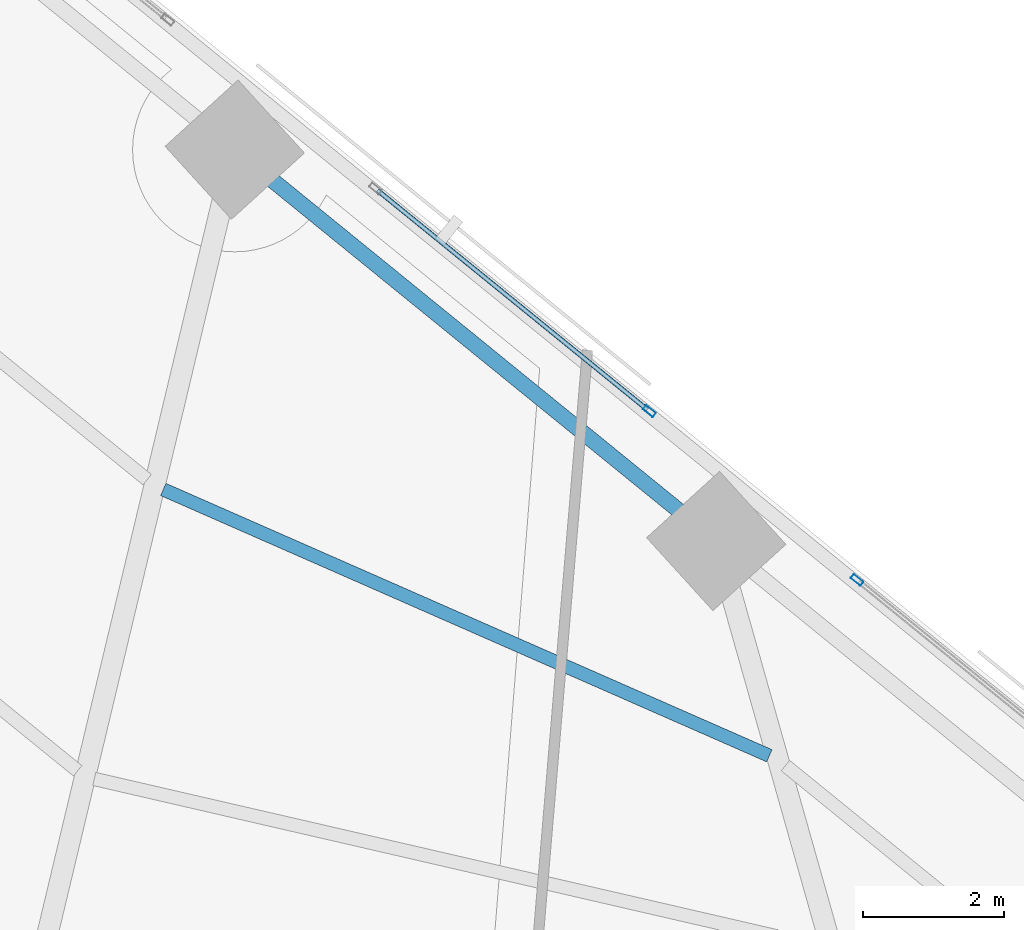
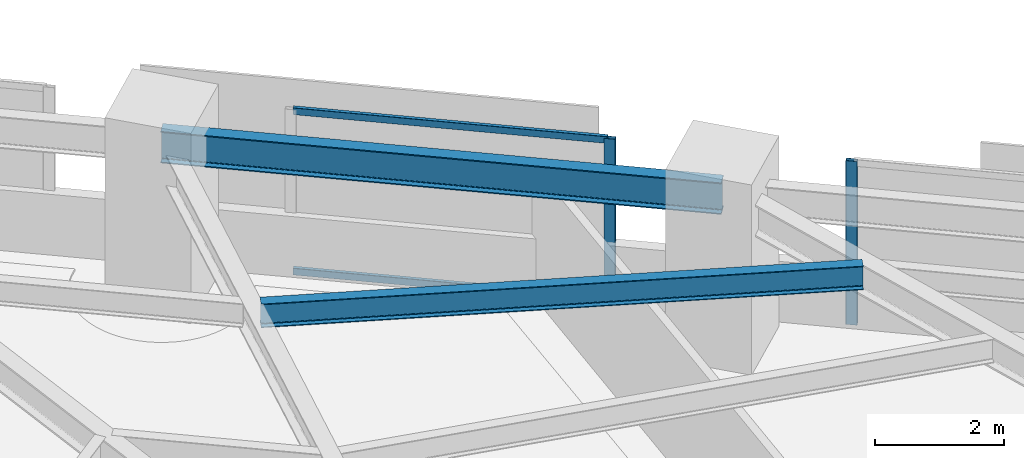
# One storey, part 10 of 17: 4 members, 2 beams, 2 elements without a shape of their own.
"""IFC4 building model written with IfcOpenShell, lengths in metres."""

from ifc_helpers import new_model, si_unit, direction, frame, origin, origin_2d, place, context, subcontext, project, spatial, hollow_rectangle, i_section, extrude, material, material_profile, profile_set, type_object, element, aggregate, save


model = new_model("IFC4")

# Units and contexts
model_context = context("Model", 3, precision=1e-05, world=origin(), true_north=direction((0.0, 1.0)))
body_context = subcontext(model_context, "Body", "Model", "MODEL_VIEW")
ifc_project = project(units=[si_unit("LENGTHUNIT", "METRE"), si_unit("AREAUNIT", "SQUARE_METRE"), si_unit("VOLUMEUNIT", "CUBIC_METRE"), si_unit("PLANEANGLEUNIT", "RADIAN"), si_unit("MASSUNIT", "GRAM", prefix="KILO")], contexts=[model_context])

# Site, building, storey
site_placement = place(None, origin())
site = spatial("IfcSite", under=ifc_project, at=site_placement, CompositionType="ELEMENT")
building_placement = place(site_placement, origin())
building = spatial("IfcBuilding", under=site, at=building_placement, Name="Narakoshi Arena Tower", CompositionType="ELEMENT")
storey_placement = place(building_placement, frame((0.0, 0.0, 55.5)))
storey = spatial("IfcBuildingStorey", under=building, at=storey_placement, Name="L14", CompositionType="ELEMENT", Elevation=55.5)

# Beams
ifc_material_1 = material(Name="Structural steel S355J2", Category="steel")
ifc_material_profile_1 = material_profile(ifc_material_1, i_section(OverallWidth=0.219970703125, OverallDepth=0.60009765625, WebThickness=0.011962890625, FlangeThickness=0.01904296875, FilletRadius=0.02392578125, at=origin_2d()), Name="IPE600")
ifc_profile_set_1 = profile_set([ifc_material_profile_1], Name="Structural steel S355J2")
beam_type_1 = type_object("IfcBeamType", Name="BM-EDGE-600", PredefinedType="BEAM", material=ifc_profile_set_1)
beam_1_placement = place(storey_placement, frame((82.626953125, 66.838623046875, 2.800048828125), z_axis=(-0.775997794165, 0.630735620883, 0.0), x_axis=(-0.630735620883, -0.775997794165, 0.0)))
element("IfcBeam", 1, at=beam_1_placement, inside=storey, type_object=beam_type_1, Name="L14 Perimeter Edge Girder 10", PredefinedType="BEAM", context=body_context, shape_type="SweptSolid", body=[
    extrude(i_section(OverallWidth=0.219970703125, OverallDepth=0.60009765625, WebThickness=0.011962890625, FlangeThickness=0.01904296875, FilletRadius=0.02392578125, at=origin_2d()), origin(), (0.0, 0.0, 1.0), 8.80517578125),
])
ifc_material_profile_2 = material_profile(ifc_material_1, i_section(OverallWidth=0.18994140625, OverallDepth=0.449951171875, WebThickness=0.009521484375, FlangeThickness=0.0146484375, FilletRadius=0.02099609375, at=origin_2d()), Name="IPE450")
ifc_profile_set_2 = profile_set([ifc_material_profile_2], Name="Structural steel S355J2")
beam_type_2 = type_object("IfcBeamType", Name="BM-SEC-450", PredefinedType="JOIST", material=ifc_profile_set_2)
beam_2_placement = place(storey_placement, frame((83.38037109375, 63.79150390625, 2.875), z_axis=(-0.91553294009, 0.402243005669, 0.0), x_axis=(-0.402243005669, -0.91553294009, 0.0)))
element("IfcBeam", 2, at=beam_2_placement, inside=storey, type_object=beam_type_2, Name="L14 Composite Secondary Floor Joist 14", PredefinedType="JOIST", context=body_context, shape_type="SweptSolid", body=[
    extrude(i_section(OverallWidth=0.18994140625, OverallDepth=0.449951171875, WebThickness=0.009521484375, FlangeThickness=0.0146484375, FilletRadius=0.02099609375, at=origin_2d()), origin(), (0.0, 0.0, 1.0), 9.394287109375),
])

# Curtain wall, member
ifc_material_2 = material(Name="Anodised bronze aluminium 6063-T6", Category="aluminium")
curtain_wall_type = type_object("IfcCurtainWallType", Name="CW-HYP-LOW", PredefinedType="NOTDEFINED", material=ifc_material_2)
curtain_wall_1_placement = place(storey_placement, origin())
curtain_wall_1 = element("IfcCurtainWall", 3, at=curtain_wall_1_placement, inside=storey, type_object=curtain_wall_type, Name="L14 Folded Hypotenuse Curtain Wall 2-2", PredefinedType="NOTDEFINED")
ifc_material_profile_3 = material_profile(ifc_material_2, hollow_rectangle(XDim=0.074951171875, YDim=0.179931640625, WallThickness=0.00390625, OuterFilletRadius=0.0048828125, at=origin_2d()), Name="MUL180x75x4")
ifc_profile_set_3 = profile_set([ifc_material_profile_3], Name="Anodised bronze aluminium 6063-T6")
member_type_1 = type_object("IfcMemberType", Name="MEM-MUL-180", PredefinedType="MULLION", material=ifc_profile_set_3)
member_1_placement = place(storey_placement, frame((84.623779296875, 66.285400390625, 0.0), z_axis=(0.0, 0.0, 1.0), x_axis=(-0.630734833051, -0.775998434519, 0.0)))
member_1 = element("IfcMember", 4, at=member_1_placement, type_object=member_type_1, Name="CW-01 mullion 2", PredefinedType="MULLION", context=body_context, shape_type="SweptSolid", body=[
    extrude(hollow_rectangle(XDim=0.074951171875, YDim=0.179931640625, WallThickness=0.00390625, OuterFilletRadius=0.0048828125, at=origin_2d()), origin(), (0.0, 0.0, 1.0), 3.10009765625),
])
aggregate(curtain_wall_1, [member_1])

# Curtain wall, members
curtain_wall_2_placement = place(storey_placement, origin())
curtain_wall_2 = element("IfcCurtainWall", 5, at=curtain_wall_2_placement, inside=storey, type_object=curtain_wall_type, Name="L14 Folded Hypotenuse Curtain Wall 2-3", PredefinedType="NOTDEFINED")
member_2_placement = place(storey_placement, frame((81.677001953125, 68.6806640625, 0.0), z_axis=(0.0, 0.0, 1.0), x_axis=(-0.630722984816, -0.776008064665, 0.0)))
member_2 = element("IfcMember", 6, at=member_2_placement, type_object=member_type_1, Name="CW-01 mullion 1", PredefinedType="MULLION", context=body_context, shape_type="SweptSolid", body=[
    extrude(hollow_rectangle(XDim=0.074951171875, YDim=0.179931640625, WallThickness=0.00390625, OuterFilletRadius=0.0048828125, at=origin_2d()), origin(), (0.0, 0.0, 1.0), 3.10009765625),
])
ifc_material_profile_4 = material_profile(ifc_material_2, hollow_rectangle(XDim=0.06494140625, YDim=0.1298828125, WallThickness=0.00390625, OuterFilletRadius=0.0048828125, at=origin_2d()), Name="TRN130x65x4")
ifc_profile_set_4 = profile_set([ifc_material_profile_4], Name="Anodised bronze aluminium 6063-T6")
member_type_2 = type_object("IfcMemberType", Name="MEM-TRN-130", PredefinedType="USERDEFINED", material=ifc_profile_set_4)
member_3_placement = place(storey_placement, frame((81.647705078125, 68.704345703125, 0.032470703125), z_axis=(-0.77600648718, 0.630724925665, 0.0), x_axis=(-0.630724925665, -0.77600648718, 0.0)))
member_3 = element("IfcMember", 7, at=member_3_placement, type_object=member_type_2, Name="CW-01 transom 1.1", ObjectType="TRANSOM", PredefinedType="USERDEFINED", context=body_context, shape_type="SweptSolid", body=[
    extrude(hollow_rectangle(XDim=0.06494140625, YDim=0.1298828125, WallThickness=0.00390625, OuterFilletRadius=0.0048828125, at=origin_2d()), origin(), (0.0, 0.0, 1.0), 4.93212890625),
])
member_4_placement = place(storey_placement, frame((81.647705078125, 68.704345703125, 3.0673828125), z_axis=(-0.77600648718, 0.630724925665, 0.0), x_axis=(-0.630724925665, -0.77600648718, 0.0)))
member_4 = element("IfcMember", 8, at=member_4_placement, type_object=member_type_2, Name="CW-01 transom 1.2", ObjectType="TRANSOM", PredefinedType="USERDEFINED", context=body_context, shape_type="SweptSolid", body=[
    extrude(hollow_rectangle(XDim=0.06494140625, YDim=0.1298828125, WallThickness=0.00390625, OuterFilletRadius=0.0048828125, at=origin_2d()), origin(), (0.0, 0.0, 1.0), 4.93212890625),
])
aggregate(curtain_wall_2, [member_2, member_3, member_4])

save(model, "model.ifc")
